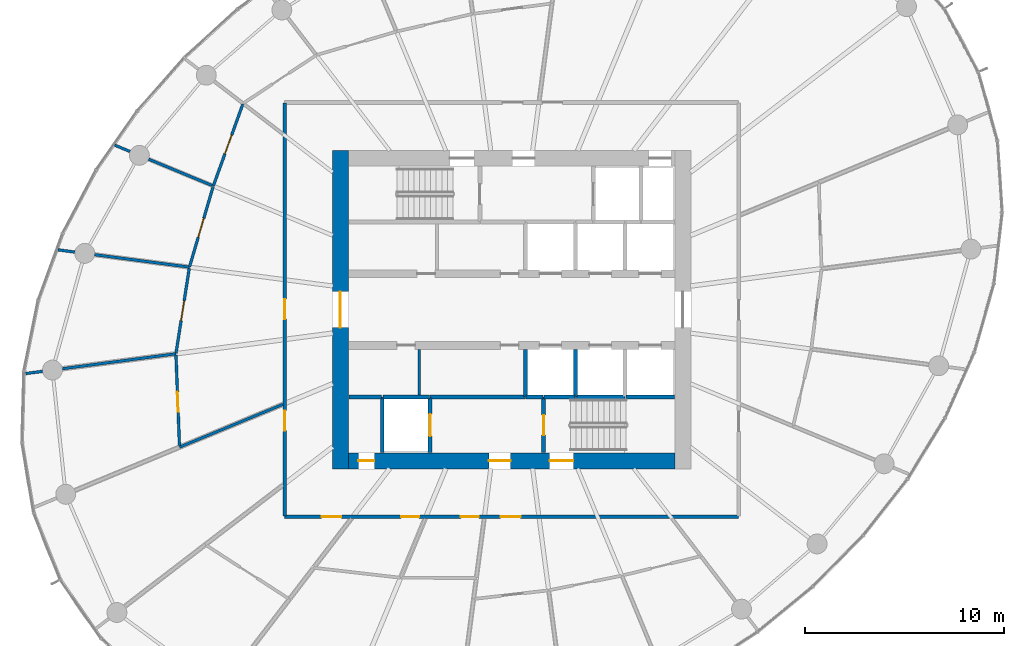
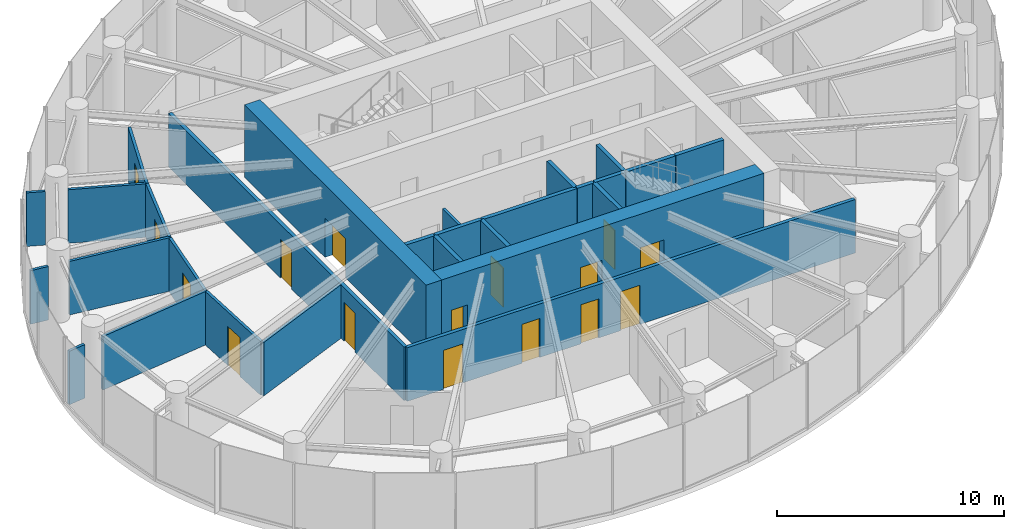
# One storey, part 9 of 14: 28 walls, 16 doors, 16 openings.
"""IFC4 building model written with IfcOpenShell, lengths in metres."""

from ifc_helpers import new_model, si_unit, direction, frame, frame_2d, origin, place, context, subcontext, project, spatial, rectangle, extrude, source, transform, mapped, material, layer, layer_set, type_object, element, fill, save


model = new_model("IFC4")

# Units and contexts
model_context = context("Model", 3, precision=1e-05, world=origin(), true_north=direction((0.0, 1.0)))
body_context = subcontext(model_context, "Body", "Model", "MODEL_VIEW")
ifc_project = project(units=[si_unit("LENGTHUNIT", "METRE"), si_unit("AREAUNIT", "SQUARE_METRE"), si_unit("VOLUMEUNIT", "CUBIC_METRE"), si_unit("PLANEANGLEUNIT", "RADIAN"), si_unit("MASSUNIT", "GRAM", prefix="KILO")], contexts=[model_context])

# Site, building, storey
site_placement = place(None, origin())
site = spatial("IfcSite", under=ifc_project, at=site_placement, CompositionType="ELEMENT")
building_placement = place(site_placement, origin())
building = spatial("IfcBuilding", under=site, at=building_placement, Name="Spindrift Exchange Tower", CompositionType="ELEMENT")
storey_placement = place(building_placement, frame((0.0, 0.0, 156.5)))
storey = spatial("IfcBuildingStorey", under=building, at=storey_placement, Name="L37", CompositionType="ELEMENT", Elevation=156.5)

# Wall, opening, door
ifc_material_1 = material(Name="Concrete 65 MPa", Category="concrete")
ifc_layer_1 = layer(ifc_material_1, 0.800048828125)
ifc_layer_set_1 = layer_set([ifc_layer_1], Name="RC Core Wall 800 Concrete 65 MPa")
wall_type_1 = type_object("IfcWallType", Name="RC Core Wall 800 Concrete 65 MPa", PredefinedType="SHEAR", material=ifc_layer_set_1)
wall_1_placement = place(storey_placement, frame((43.39990234375, 56.0, 0.0), z_axis=(0.0, 0.0, 1.0), x_axis=(0.0, -1.0, 0.0)))
wall_1 = element("IfcWall", 1, at=wall_1_placement, inside=storey, type_object=wall_type_1, Name="Core wall W L37", PredefinedType="SHEAR", context=body_context, shape_type="SweptSolid", body=[
    extrude(rectangle(XDim=16.0, YDim=0.800048828125, at=frame_2d((8.0, 0.0))), origin(), (0.0, 0.0, 1.0), 3.89990234375),
])
opening_1_placement = place(wall_1_placement, frame((7.10009765625, 0.0, 0.0)))
opening_1 = element("IfcOpeningElement", 2, at=opening_1_placement, cuts=wall_1, Name="Opening L37-D1", PredefinedType="OPENING", context=body_context, shape_type="SweptSolid", body=[
    extrude(rectangle(XDim=1.800048828125, YDim=2.10009765625, at=frame_2d((0.89990234375, 1.050048828125))), frame((0.0, 0.409912109375, 0.0), z_axis=(0.0, -1.0, 0.0), x_axis=(1.0, 0.0, 0.0)), (0.0, 0.0, 1.0), 0.820068359375),
])
ifc_material_2 = material(Name="Timber-core fire door", Category="wood")
door_type_1 = type_object("IfcDoorType", Name="DR-LOBBY-1800", OperationType="NOTDEFINED", PredefinedType="DOOR", material=ifc_material_2)
shared_shape_1 = source(origin(), body_context, "Body", "SweptSolid", [
    extrude(rectangle(XDim=1.800048828125, YDim=2.10009765625, at=frame_2d((0.89990234375, 1.050048828125))), frame((0.0, 0.02490234375, 0.0), z_axis=(0.0, -1.0, 0.0), x_axis=(1.0, 0.0, 0.0)), (0.0, 0.0, 1.0), 0.050048828125),
])
door_1_placement = place(opening_1_placement, origin())
door_1 = element("IfcDoor", 3, at=door_1_placement, inside=storey, type_object=door_type_1, Name="L37 Lobby door 1", OperationType="SINGLE_SWING_LEFT", OverallHeight=2.10009765625, OverallWidth=1.800048828125, PredefinedType="DOOR", context=body_context, shape_type="MappedRepresentation", body=[
    mapped(shared_shape_1, transform((0.0, 0.0, 0.0), scale=1.0)),
])
fill(opening_1, door_1)

# Wall, openings, doors
wall_2_placement = place(storey_placement, frame((43.800048828125, 40.39990234375, 0.0), z_axis=(0.0, 0.0, 1.0), x_axis=(1.0, 0.0, 0.0)))
wall_2 = element("IfcWall", 4, at=wall_2_placement, inside=storey, type_object=wall_type_1, Name="Core wall S L37", PredefinedType="SHEAR", context=body_context, shape_type="SweptSolid", body=[
    extrude(rectangle(XDim=16.39990234375, YDim=0.800048828125, at=frame_2d((8.199951171875, 0.0))), origin(), (0.0, 0.0, 1.0), 3.89990234375),
])
opening_2_placement = place(wall_2_placement, frame((10.10009765625, 0.0, 0.0)))
opening_2 = element("IfcOpeningElement", 5, at=opening_2_placement, cuts=wall_2, Name="Opening L37-D15", PredefinedType="OPENING", context=body_context, shape_type="SweptSolid", body=[
    extrude(rectangle(XDim=1.199951171875, YDim=2.10009765625, at=frame_2d((0.60009765625, 1.050048828125))), frame((0.0, 0.409912109375, 0.0), z_axis=(0.0, -1.0, 0.0), x_axis=(1.0, 0.0, 0.0)), (0.0, 0.0, 1.0), 0.820068359375),
])
opening_3_placement = place(wall_2_placement, frame((7.050048828125, 0.0, 0.0)))
opening_3 = element("IfcOpeningElement", 6, at=opening_3_placement, cuts=wall_2, Name="Opening L37-D17", PredefinedType="OPENING", context=body_context, shape_type="SweptSolid", body=[
    extrude(rectangle(XDim=1.10009765625, YDim=2.10009765625, at=frame_2d((0.550048828125, 1.050048828125))), frame((0.0, 0.409912109375, 0.0), z_axis=(0.0, -1.0, 0.0), x_axis=(1.0, 0.0, 0.0)), (0.0, 0.0, 1.0), 0.820068359375),
])
opening_4_placement = place(wall_2_placement, frame((0.5, 0.0, 0.0)))
opening_4 = element("IfcOpeningElement", 7, at=opening_4_placement, cuts=wall_2, Name="Opening L37-D18", PredefinedType="OPENING", context=body_context, shape_type="SweptSolid", body=[
    extrude(rectangle(XDim=0.800048828125, YDim=2.10009765625, at=frame_2d((0.39990234375, 1.050048828125))), frame((0.0, 0.409912109375, 0.0), z_axis=(0.0, -1.0, 0.0), x_axis=(1.0, 0.0, 0.0)), (0.0, 0.0, 1.0), 0.820068359375),
])
ifc_material_3 = material(Name="Steel fire door", Category="steel")
door_type_2 = type_object("IfcDoorType", Name="DR-STAIR-1200", OperationType="NOTDEFINED", PredefinedType="DOOR", material=ifc_material_3)
shared_shape_2 = source(origin(), body_context, "Body", "SweptSolid", [
    extrude(rectangle(XDim=1.199951171875, YDim=2.10009765625, at=frame_2d((0.60009765625, 1.050048828125))), frame((0.0, 0.02490234375, 0.0), z_axis=(0.0, -1.0, 0.0), x_axis=(1.0, 0.0, 0.0)), (0.0, 0.0, 1.0), 0.050048828125),
])
door_2_placement = place(opening_2_placement, origin())
door_2 = element("IfcDoor", 8, at=door_2_placement, inside=storey, type_object=door_type_2, Name="L37 Stair door 15", OperationType="SINGLE_SWING_RIGHT", OverallHeight=2.10009765625, OverallWidth=1.199951171875, PredefinedType="DOOR", context=body_context, shape_type="MappedRepresentation", body=[
    mapped(shared_shape_2, transform((0.0, 0.0, 0.0), scale=1.0)),
])
fill(opening_2, door_2)
door_type_3 = type_object("IfcDoorType", Name="DR-LOBBY-1100", OperationType="NOTDEFINED", PredefinedType="DOOR", material=ifc_material_2)
shared_shape_3 = source(origin(), body_context, "Body", "SweptSolid", [
    extrude(rectangle(XDim=1.10009765625, YDim=2.10009765625, at=frame_2d((0.550048828125, 1.050048828125))), frame((0.0, 0.02490234375, 0.0), z_axis=(0.0, -1.0, 0.0), x_axis=(1.0, 0.0, 0.0)), (0.0, 0.0, 1.0), 0.050048828125),
])
door_3_placement = place(opening_3_placement, origin())
door_3 = element("IfcDoor", 9, at=door_3_placement, inside=storey, type_object=door_type_3, Name="L37 Lobby door 17", OperationType="SINGLE_SWING_RIGHT", OverallHeight=2.10009765625, OverallWidth=1.10009765625, PredefinedType="DOOR", context=body_context, shape_type="MappedRepresentation", body=[
    mapped(shared_shape_3, transform((0.0, 0.0, 0.0), scale=1.0)),
])
fill(opening_3, door_3)
ifc_material_4 = material(Name="Steel access door", Category="steel")
door_type_4 = type_object("IfcDoorType", Name="DR-RISER-800", OperationType="NOTDEFINED", PredefinedType="DOOR", material=ifc_material_4)
shared_shape_4 = source(origin(), body_context, "Body", "SweptSolid", [
    extrude(rectangle(XDim=0.800048828125, YDim=2.10009765625, at=frame_2d((0.39990234375, 1.050048828125))), frame((0.0, 0.02490234375, 0.0), z_axis=(0.0, -1.0, 0.0), x_axis=(1.0, 0.0, 0.0)), (0.0, 0.0, 1.0), 0.050048828125),
])
door_4_placement = place(opening_4_placement, origin())
door_4 = element("IfcDoor", 10, at=door_4_placement, inside=storey, type_object=door_type_4, Name="L37 Riser door 18", OperationType="SINGLE_SWING_LEFT", OverallHeight=2.10009765625, OverallWidth=0.800048828125, PredefinedType="DOOR", context=body_context, shape_type="MappedRepresentation", body=[
    mapped(shared_shape_4, transform((0.0, 0.0, 0.0), scale=1.0)),
])
fill(opening_4, door_4)

ifc_material_5 = material(Name="Fire-rated plasterboard partition", Category="gypsum")
ifc_layer_2 = layer(ifc_material_5, 0.179931640625)
ifc_layer_set_2 = layer_set([ifc_layer_2], Name="W-CORR-180")
wall_type_2 = type_object("IfcWallType", Name="W-CORR-180", PredefinedType="PARTITIONING", material=ifc_layer_set_2)
wall_3_placement = place(storey_placement, frame((63.39990234375, 37.60009765625, 0.0), z_axis=(0.0, 0.0, 1.0), x_axis=(-1.0, 0.0, 0.0)))
wall_3 = element("IfcWall", 11, at=wall_3_placement, inside=storey, type_object=wall_type_2, Name="L37 Partition wall 28", PredefinedType="PARTITIONING", context=body_context, shape_type="SweptSolid", body=[
    extrude(rectangle(XDim=22.7998046875, YDim=0.179931640625, at=frame_2d((11.39990234375, 0.0))), origin(), (0.0, 0.0, 1.0), 2.8798828125),
])
opening_5_placement = place(wall_3_placement, frame((16.050048828125, 0.0, 0.0)))
opening_5 = element("IfcOpeningElement", 12, at=opening_5_placement, cuts=wall_3, Name="Opening L37-D19", PredefinedType="OPENING", context=body_context, shape_type="SweptSolid", body=[
    extrude(rectangle(XDim=0.89990234375, YDim=2.10009765625, at=frame_2d((0.449951171875, 1.050048828125))), frame((0.0, 0.099853515625, 0.0), z_axis=(0.0, -1.0, 0.0), x_axis=(1.0, 0.0, 0.0)), (0.0, 0.0, 1.0), 0.199951171875),
])
opening_6_placement = place(wall_3_placement, frame((13.050048828125, 0.0, 0.0)))
opening_6 = element("IfcOpeningElement", 13, at=opening_6_placement, cuts=wall_3, Name="Opening L37-D20", PredefinedType="OPENING", context=body_context, shape_type="SweptSolid", body=[
    extrude(rectangle(XDim=0.89990234375, YDim=2.10009765625, at=frame_2d((0.449951171875, 1.050048828125))), frame((0.0, 0.099853515625, 0.0), z_axis=(0.0, -1.0, 0.0), x_axis=(1.0, 0.0, 0.0)), (0.0, 0.0, 1.0), 0.199951171875),
])
opening_7_placement = place(wall_3_placement, frame((10.949951171875, 0.0, 0.0)))
opening_7 = element("IfcOpeningElement", 14, at=opening_7_placement, cuts=wall_3, Name="Opening L37-D21", PredefinedType="OPENING", context=body_context, shape_type="SweptSolid", body=[
    extrude(rectangle(XDim=1.0, YDim=2.10009765625, at=frame_2d((0.5, 1.050048828125))), frame((0.0, 0.099853515625, 0.0), z_axis=(0.0, -1.0, 0.0), x_axis=(1.0, 0.0, 0.0)), (0.0, 0.0, 1.0), 0.199951171875),
])
opening_8_placement = place(wall_3_placement, frame((19.949951171875, 0.0, 0.0)))
opening_8 = element("IfcOpeningElement", 15, at=opening_8_placement, cuts=wall_3, Name="Opening L37-D43", PredefinedType="OPENING", context=body_context, shape_type="SweptSolid", body=[
    extrude(rectangle(XDim=1.0, YDim=2.10009765625, at=frame_2d((0.5, 1.050048828125))), frame((0.0, 0.099853515625, 0.0), z_axis=(0.0, -1.0, 0.0), x_axis=(1.0, 0.0, 0.0)), (0.0, 0.0, 1.0), 0.199951171875),
])
door_type_5 = type_object("IfcDoorType", Name="DR-ROOM-1000", OperationType="NOTDEFINED", PredefinedType="DOOR", material=ifc_material_2)
shared_shape_5 = source(origin(), body_context, "Body", "SweptSolid", [
    extrude(rectangle(XDim=1.0, YDim=2.10009765625, at=frame_2d((0.5, 1.050048828125))), frame((0.0, 0.02490234375, 0.0), z_axis=(0.0, -1.0, 0.0), x_axis=(1.0, 0.0, 0.0)), (0.0, 0.0, 1.0), 0.050048828125),
])
door_5_placement = place(opening_7_placement, origin())
door_5 = element("IfcDoor", 16, at=door_5_placement, inside=storey, type_object=door_type_5, Name="L37 Door 21", OperationType="SINGLE_SWING_RIGHT", OverallHeight=2.10009765625, OverallWidth=1.0, PredefinedType="DOOR", context=body_context, shape_type="MappedRepresentation", body=[
    mapped(shared_shape_5, transform((0.0, 0.0, 0.0), scale=1.0)),
])
fill(opening_7, door_5)
door_6_placement = place(opening_8_placement, origin())
door_6 = element("IfcDoor", 17, at=door_6_placement, inside=storey, type_object=door_type_5, Name="L37 Door 43", OperationType="SINGLE_SWING_RIGHT", OverallHeight=2.10009765625, OverallWidth=1.0, PredefinedType="DOOR", context=body_context, shape_type="MappedRepresentation", body=[
    mapped(shared_shape_5, transform((0.0, 0.0, 0.0), scale=1.0)),
])
fill(opening_8, door_6)
ifc_material_6 = material(Name="Laminate washroom door", Category="wood")
door_type_6 = type_object("IfcDoorType", Name="DR-WC-900", OperationType="NOTDEFINED", PredefinedType="DOOR", material=ifc_material_6)
shared_shape_6 = source(origin(), body_context, "Body", "SweptSolid", [
    extrude(rectangle(XDim=0.89990234375, YDim=2.10009765625, at=frame_2d((0.449951171875, 1.050048828125))), frame((0.0, 0.02490234375, 0.0), z_axis=(0.0, -1.0, 0.0), x_axis=(1.0, 0.0, 0.0)), (0.0, 0.0, 1.0), 0.050048828125),
])
door_7_placement = place(opening_5_placement, origin())
door_7 = element("IfcDoor", 18, at=door_7_placement, inside=storey, type_object=door_type_6, Name="L37 WC door 19", OperationType="SINGLE_SWING_RIGHT", OverallHeight=2.10009765625, OverallWidth=0.89990234375, PredefinedType="DOOR", context=body_context, shape_type="MappedRepresentation", body=[
    mapped(shared_shape_6, transform((0.0, 0.0, 0.0), scale=1.0)),
])
fill(opening_5, door_7)
door_8_placement = place(opening_6_placement, origin())
door_8 = element("IfcDoor", 19, at=door_8_placement, inside=storey, type_object=door_type_6, Name="L37 WC door 20", OperationType="SINGLE_SWING_LEFT", OverallHeight=2.10009765625, OverallWidth=0.89990234375, PredefinedType="DOOR", context=body_context, shape_type="MappedRepresentation", body=[
    mapped(shared_shape_6, transform((0.0, 0.0, 0.0), scale=1.0)),
])
fill(opening_6, door_8)

wall_4_placement = place(storey_placement, frame((40.60009765625, 37.6298828125, 0.0), z_axis=(0.0, 0.0, 1.0), x_axis=(0.0, 1.0, 0.0)))
wall_4 = element("IfcWall", 20, at=wall_4_placement, inside=storey, type_object=wall_type_2, Name="L37 Partition wall 30", PredefinedType="PARTITIONING", context=body_context, shape_type="SweptSolid", body=[
    extrude(rectangle(XDim=20.740234375, YDim=0.179931640625, at=frame_2d((10.3701171875, 0.0))), origin(), (0.0, 0.0, 1.0), 2.8798828125),
])
opening_9_placement = place(wall_4_placement, frame((9.889892578125, 0.0, 0.0)))
opening_9 = element("IfcOpeningElement", 21, at=opening_9_placement, cuts=wall_4, Name="Opening L37-D37", PredefinedType="OPENING", context=body_context, shape_type="SweptSolid", body=[
    extrude(rectangle(XDim=1.0, YDim=2.10009765625, at=frame_2d((0.5, 1.050048828125))), frame((0.0, 0.099853515625, 0.0), z_axis=(0.0, -1.0, 0.0), x_axis=(1.0, 0.0, 0.0)), (0.0, 0.0, 1.0), 0.199951171875),
])
opening_10_placement = place(wall_4_placement, frame((4.2900390625, 0.0, 0.0)))
opening_10 = element("IfcOpeningElement", 22, at=opening_10_placement, cuts=wall_4, Name="Opening L37-D42", PredefinedType="OPENING", context=body_context, shape_type="SweptSolid", body=[
    extrude(rectangle(XDim=1.0, YDim=2.10009765625, at=frame_2d((0.5, 1.050048828125))), frame((0.0, 0.099853515625, 0.0), z_axis=(0.0, -1.0, 0.0), x_axis=(1.0, 0.0, 0.0)), (0.0, 0.0, 1.0), 0.199951171875),
])
door_9_placement = place(opening_9_placement, origin())
door_9 = element("IfcDoor", 23, at=door_9_placement, inside=storey, type_object=door_type_5, Name="L37 Door 37", OperationType="SINGLE_SWING_RIGHT", OverallHeight=2.10009765625, OverallWidth=1.0, PredefinedType="DOOR", context=body_context, shape_type="MappedRepresentation", body=[
    mapped(shared_shape_5, transform((0.0, 0.0, 0.0), scale=1.0)),
])
fill(opening_9, door_9)
door_10_placement = place(opening_10_placement, origin())
door_10 = element("IfcDoor", 24, at=door_10_placement, inside=storey, type_object=door_type_5, Name="L37 Door 42", OperationType="SINGLE_SWING_LEFT", OverallHeight=2.10009765625, OverallWidth=1.0, PredefinedType="DOOR", context=body_context, shape_type="MappedRepresentation", body=[
    mapped(shared_shape_5, transform((0.0, 0.0, 0.0), scale=1.0)),
])
fill(opening_10, door_10)

# Walls
ifc_layer_3 = layer(ifc_material_5, 0.139892578125)
ifc_layer_set_3 = layer_set([ifc_layer_3], Name="W-PART-140")
wall_type_3 = type_object("IfcWallType", Name="W-PART-140", PredefinedType="PARTITIONING", material=ifc_layer_set_3)
wall_5_placement = place(storey_placement, frame((35.138671875, 45.7802734375, 0.0), z_axis=(0.0, 0.0, 1.0), x_axis=(-0.99144533292, -0.130522610424, 0.0)))
element("IfcWall", 25, at=wall_5_placement, inside=storey, type_object=wall_type_3, Name="L37 Partition wall 34", PredefinedType="PARTITIONING", context=body_context, shape_type="SweptSolid", body=[
    extrude(rectangle(XDim=5.749755859375, YDim=0.139892578125, at=frame_2d((2.875, 0.0))), origin(), (0.0, 0.0, 1.0), 2.8798828125),
])
wall_6_placement = place(storey_placement, frame((40.510009765625, 43.24072265625, 0.0), z_axis=(0.0, 0.0, 1.0), x_axis=(-0.92387220975, -0.382701110597, 0.0)))
element("IfcWall", 26, at=wall_6_placement, inside=storey, type_object=wall_type_3, Name="L37 Partition wall 36", PredefinedType="PARTITIONING", context=body_context, shape_type="SweptSolid", body=[
    extrude(rectangle(XDim=5.6171875, YDim=0.139892578125, at=frame_2d((2.80859375, 0.0))), origin(), (0.0, 0.0, 1.0), 2.8798828125),
])
wall_7_placement = place(storey_placement, frame((35.8173828125, 50.130615234375, 0.0), z_axis=(0.0, 0.0, 1.0), x_axis=(-0.991450832312, 0.13048083042, 0.0)))
element("IfcWall", 27, at=wall_7_placement, inside=storey, type_object=wall_type_3, Name="L37 Partition wall 45", PredefinedType="PARTITIONING", context=body_context, shape_type="SweptSolid", body=[
    extrude(rectangle(XDim=4.79931640625, YDim=0.139892578125, at=frame_2d((2.399658203125, 0.0))), origin(), (0.0, 0.0, 1.0), 2.8798828125),
])

# Wall, opening, door
wall_8_placement = place(storey_placement, frame((35.317626953125, 41.165771484375, 0.0), z_axis=(0.0, 0.0, 1.0), x_axis=(-0.038760942668, 0.999248512295, 0.0)))
wall_8 = element("IfcWall", 28, at=wall_8_placement, inside=storey, type_object=wall_type_3, Name="L37 Partition wall 46", PredefinedType="PARTITIONING", context=body_context, shape_type="SweptSolid", body=[
    extrude(rectangle(XDim=4.547607421875, YDim=0.139892578125, at=frame_2d((2.27392578125, 0.0))), origin(), (0.0, 0.0, 1.0), 2.8798828125),
])
opening_11_placement = place(wall_8_placement, frame((1.697509765625, 0.0, 0.0)))
opening_11 = element("IfcOpeningElement", 29, at=opening_11_placement, cuts=wall_8, Name="Opening L37-D41", PredefinedType="OPENING", context=body_context, shape_type="SweptSolid", body=[
    extrude(rectangle(XDim=1.0, YDim=2.10009765625, at=frame_2d((0.5, 1.050048828125))), frame((0.0, 0.079833984375, 0.0), z_axis=(0.0, -1.0, 0.0), x_axis=(1.0, 0.0, 0.0)), (0.0, 0.0, 1.0), 0.159912109375),
])
door_11_placement = place(opening_11_placement, origin())
door_11 = element("IfcDoor", 30, at=door_11_placement, inside=storey, type_object=door_type_5, Name="L37 Door 41", OperationType="SINGLE_SWING_RIGHT", OverallHeight=2.10009765625, OverallWidth=1.0, PredefinedType="DOOR", context=body_context, shape_type="MappedRepresentation", body=[
    mapped(shared_shape_5, transform((0.0, 0.0, 0.0), scale=1.0)),
])
fill(opening_11, door_11)

wall_9_placement = place(storey_placement, frame((37.015869140625, 54.20654296875, 0.0), z_axis=(0.0, 0.0, 1.0), x_axis=(0.339349662801, 0.940660303381, 0.0)))
wall_9 = element("IfcWall", 31, at=wall_9_placement, inside=storey, type_object=wall_type_3, Name="L37 Partition wall 49", PredefinedType="PARTITIONING", context=body_context, shape_type="SweptSolid", body=[
    extrude(rectangle(XDim=4.375732421875, YDim=0.139892578125, at=frame_2d((2.18798828125, 0.0))), origin(), (0.0, 0.0, 1.0), 2.8798828125),
])
opening_12_placement = place(wall_9_placement, frame((1.725341796875, 0.0, 0.0)))
opening_12 = element("IfcOpeningElement", 32, at=opening_12_placement, cuts=wall_9, Name="Opening L37-D38", PredefinedType="OPENING", context=body_context, shape_type="SweptSolid", body=[
    extrude(rectangle(XDim=1.0, YDim=2.10009765625, at=frame_2d((0.5, 1.050048828125))), frame((0.0, 0.079833984375, 0.0), z_axis=(0.0, -1.0, 0.0), x_axis=(1.0, 0.0, 0.0)), (0.0, 0.0, 1.0), 0.159912109375),
])
door_12_placement = place(opening_12_placement, origin())
door_12 = element("IfcDoor", 33, at=door_12_placement, inside=storey, type_object=door_type_5, Name="L37 Door 38", OperationType="SINGLE_SWING_LEFT", OverallHeight=2.10009765625, OverallWidth=1.0, PredefinedType="DOOR", context=body_context, shape_type="MappedRepresentation", body=[
    mapped(shared_shape_5, transform((0.0, 0.0, 0.0), scale=1.0)),
])
fill(opening_12, door_12)

wall_10_placement = place(storey_placement, frame((35.143310546875, 45.809814453125, 0.0), z_axis=(0.0, 0.0, 1.0), x_axis=(0.154158792567, 0.988046085299, 0.0)))
wall_10 = element("IfcWall", 34, at=wall_10_placement, inside=storey, type_object=wall_type_3, Name="L37 Partition wall 50", PredefinedType="PARTITIONING", context=body_context, shape_type="SweptSolid", body=[
    extrude(rectangle(XDim=4.302978515625, YDim=0.139892578125, at=frame_2d((2.1513671875, 0.0))), origin(), (0.0, 0.0, 1.0), 2.8798828125),
])
opening_13_placement = place(wall_10_placement, frame((1.653076171875, 0.0, 0.0)))
opening_13 = element("IfcOpeningElement", 35, at=opening_13_placement, cuts=wall_10, Name="Opening L37-D40", PredefinedType="OPENING", context=body_context, shape_type="SweptSolid", body=[
    extrude(rectangle(XDim=1.0, YDim=2.10009765625, at=frame_2d((0.5, 1.050048828125))), frame((0.0, 0.079833984375, 0.0), z_axis=(0.0, -1.0, 0.0), x_axis=(1.0, 0.0, 0.0)), (0.0, 0.0, 1.0), 0.159912109375),
])
door_13_placement = place(opening_13_placement, origin())
door_13 = element("IfcDoor", 36, at=door_13_placement, inside=storey, type_object=door_type_5, Name="L37 Door 40", OperationType="SINGLE_SWING_LEFT", OverallHeight=2.10009765625, OverallWidth=1.0, PredefinedType="DOOR", context=body_context, shape_type="MappedRepresentation", body=[
    mapped(shared_shape_5, transform((0.0, 0.0, 0.0), scale=1.0)),
])
fill(opening_13, door_13)

wall_11_placement = place(storey_placement, frame((35.825927734375, 50.1591796875, 0.0), z_axis=(0.0, 0.0, 1.0), x_axis=(0.28208743745, 0.959388699971, 0.0)))
wall_11 = element("IfcWall", 37, at=wall_11_placement, inside=storey, type_object=wall_type_3, Name="L37 Partition wall 54", PredefinedType="PARTITIONING", context=body_context, shape_type="SweptSolid", body=[
    extrude(rectangle(XDim=4.18896484375, YDim=0.139892578125, at=frame_2d((2.094482421875, 0.0))), origin(), (0.0, 0.0, 1.0), 2.8798828125),
])
opening_14_placement = place(wall_11_placement, frame((1.538818359375, 0.0, 0.0)))
opening_14 = element("IfcOpeningElement", 38, at=opening_14_placement, cuts=wall_11, Name="Opening L37-D39", PredefinedType="OPENING", context=body_context, shape_type="SweptSolid", body=[
    extrude(rectangle(XDim=1.0, YDim=2.10009765625, at=frame_2d((0.5, 1.050048828125))), frame((0.0, 0.079833984375, 0.0), z_axis=(0.0, -1.0, 0.0), x_axis=(1.0, 0.0, 0.0)), (0.0, 0.0, 1.0), 0.159912109375),
])
door_14_placement = place(opening_14_placement, origin())
door_14 = element("IfcDoor", 39, at=door_14_placement, inside=storey, type_object=door_type_5, Name="L37 Door 39", OperationType="SINGLE_SWING_RIGHT", OverallHeight=2.10009765625, OverallWidth=1.0, PredefinedType="DOOR", context=body_context, shape_type="MappedRepresentation", body=[
    mapped(shared_shape_5, transform((0.0, 0.0, 0.0), scale=1.0)),
])
fill(opening_14, door_14)

# Walls
wall_12_placement = place(storey_placement, frame((36.951171875, 54.2333984375, 0.0), z_axis=(0.0, 0.0, 1.0), x_axis=(-0.923873497733, 0.382698001285, 0.0)))
element("IfcWall", 40, at=wall_12_placement, inside=storey, type_object=wall_type_3, Name="L37 Partition wall 66", PredefinedType="PARTITIONING", context=body_context, shape_type="SweptSolid", body=[
    extrude(rectangle(XDim=3.4462890625, YDim=0.139892578125, at=frame_2d((1.72314453125, 0.0))), origin(), (0.0, 0.0, 1.0), 2.8798828125),
])
wall_13_placement = place(storey_placement, frame((47.360107421875, 43.699951171875, 0.0), z_axis=(0.0, 0.0, 1.0), x_axis=(0.0, 1.0, 0.0)))
element("IfcWall", 41, at=wall_13_placement, inside=storey, type_object=wall_type_3, Name="L37 Partition wall 74", PredefinedType="PARTITIONING", context=body_context, shape_type="SweptSolid", body=[
    extrude(rectangle(XDim=2.2900390625, YDim=0.139892578125, at=frame_2d((1.14501953125, 0.0))), origin(), (0.0, 0.0, 1.0), 2.8798828125),
])
wall_14_placement = place(storey_placement, frame((30.058837890625, 50.888671875, 0.0), z_axis=(0.0, 0.0, 1.0), x_axis=(-0.991446500326, 0.130513742537, 0.0)))
element("IfcWall", 42, at=wall_14_placement, inside=storey, type_object=wall_type_3, Name="L37 Partition wall 87", PredefinedType="PARTITIONING", context=body_context, shape_type="SweptSolid", body=[
    extrude(rectangle(XDim=0.85302734375, YDim=0.139892578125, at=frame_2d((0.426513671875, 0.0))), origin(), (0.0, 0.0, 1.0), 2.8798828125),
])
wall_15_placement = place(storey_placement, frame((28.43798828125, 44.89794921875, 0.0), z_axis=(0.0, 0.0, 1.0), x_axis=(-0.991432738393, -0.130618242377, 0.0)))
element("IfcWall", 43, at=wall_15_placement, inside=storey, type_object=wall_type_3, Name="L37 Partition wall 92", PredefinedType="PARTITIONING", context=body_context, shape_type="SweptSolid", body=[
    extrude(rectangle(XDim=0.8486328125, YDim=0.139892578125, at=frame_2d((0.42431640625, 0.0))), origin(), (0.0, 0.0, 1.0), 2.8798828125),
])
wall_16_placement = place(storey_placement, frame((32.833984375, 55.938720703125, 0.0), z_axis=(0.0, 0.0, 1.0), x_axis=(-0.923909393783, 0.382611332921, 0.0)))
element("IfcWall", 44, at=wall_16_placement, inside=storey, type_object=wall_type_3, Name="L37 Partition wall 94", PredefinedType="PARTITIONING", context=body_context, shape_type="SweptSolid", body=[
    extrude(rectangle(XDim=0.830810546875, YDim=0.139892578125, at=frame_2d((0.41552734375, 0.0))), origin(), (0.0, 0.0, 1.0), 2.8798828125),
])
ifc_material_7 = material(Name="Concrete 40 MPa", Category="concrete")
ifc_layer_4 = layer(ifc_material_7, 0.199951171875)
ifc_layer_set_4 = layer_set([ifc_layer_4], Name="W-SHAFT-200")
wall_type_4 = type_object("IfcWallType", Name="W-SHAFT-200", PredefinedType="SOLIDWALL", material=ifc_layer_set_4)
wall_17_placement = place(storey_placement, frame((52.699951171875, 43.60009765625, 0.0), z_axis=(0.0, 0.0, 1.0), x_axis=(-1.0, 0.0, 0.0)))
element("IfcWall", 45, at=wall_17_placement, inside=storey, type_object=wall_type_4, Name="L37 Shaft wall 2", PredefinedType="SOLIDWALL", context=body_context, shape_type="SweptSolid", body=[
    extrude(rectangle(XDim=4.800048828125, YDim=0.199951171875, at=frame_2d((2.39990234375, 0.0))), origin(), (0.0, 0.0, 1.0), 3.580078125),
])
wall_18_placement = place(storey_placement, frame((45.5, 43.60009765625, 0.0), z_axis=(0.0, 0.0, 1.0), x_axis=(0.0, -1.0, 0.0)))
element("IfcWall", 46, at=wall_18_placement, inside=storey, type_object=wall_type_4, Name="L37 Shaft wall 3", PredefinedType="SOLIDWALL", context=body_context, shape_type="SweptSolid", body=[
    extrude(rectangle(XDim=2.780029296875, YDim=0.199951171875, at=frame_2d((1.39013671875, 0.0))), origin(), (0.0, 0.0, 1.0), 3.580078125),
])

# Wall, opening, door
wall_19_placement = place(storey_placement, frame((47.89990234375, 40.820068359375, 0.0), z_axis=(0.0, 0.0, 1.0), x_axis=(0.0, 1.0, 0.0)))
wall_19 = element("IfcWall", 47, at=wall_19_placement, inside=storey, type_object=wall_type_4, Name="L37 Shaft wall 4", PredefinedType="SOLIDWALL", context=body_context, shape_type="SweptSolid", body=[
    extrude(rectangle(XDim=2.75, YDim=0.199951171875, at=frame_2d((1.375, 0.0))), origin(), (0.0, 0.0, 1.0), 3.580078125),
])
opening_15_placement = place(wall_19_placement, frame((0.830078125, 0.0, 0.0)))
opening_15 = element("IfcOpeningElement", 48, at=opening_15_placement, cuts=wall_19, Name="Opening L37-D10", PredefinedType="OPENING", context=body_context, shape_type="SweptSolid", body=[
    extrude(rectangle(XDim=1.10009765625, YDim=2.10009765625, at=frame_2d((0.550048828125, 1.050048828125))), frame((0.0, 0.10986328125, 0.0), z_axis=(0.0, -1.0, 0.0), x_axis=(1.0, 0.0, 0.0)), (0.0, 0.0, 1.0), 0.219970703125),
])
ifc_material_8 = material(Name="Stainless steel landing door", Category="steel")
door_type_7 = type_object("IfcDoorType", Name="DR-LANDING-1100-SL", OperationType="DOUBLE_DOOR_SLIDING", PredefinedType="USERDEFINED", material=ifc_material_8)
shared_shape_7 = source(origin(), body_context, "Body", "SweptSolid", [
    extrude(rectangle(XDim=1.10009765625, YDim=2.10009765625, at=frame_2d((0.550048828125, 1.050048828125))), frame((0.0, 0.02490234375, 0.0), z_axis=(0.0, -1.0, 0.0), x_axis=(1.0, 0.0, 0.0)), (0.0, 0.0, 1.0), 0.050048828125),
])
door_15_placement = place(opening_15_placement, origin())
door_15 = element("IfcDoor", 49, at=door_15_placement, inside=storey, type_object=door_type_7, Name="L37 Lift landing door 10", ObjectType="LANDING DOOR", OperationType="DOUBLE_DOOR_SLIDING", OverallHeight=2.10009765625, OverallWidth=1.10009765625, PredefinedType="USERDEFINED", context=body_context, shape_type="MappedRepresentation", body=[
    mapped(shared_shape_7, transform((0.0, 0.0, 0.0), scale=1.0)),
])
fill(opening_15, door_15)

# Walls
wall_20_placement = place(storey_placement, frame((47.8701171875, 43.60009765625, 0.0), z_axis=(0.0, 0.0, 1.0), x_axis=(-1.0, 0.0, 0.0)))
element("IfcWall", 50, at=wall_20_placement, inside=storey, type_object=wall_type_4, Name="L37 Shaft wall 12", PredefinedType="SOLIDWALL", context=body_context, shape_type="SweptSolid", body=[
    extrude(rectangle(XDim=2.340087890625, YDim=0.199951171875, at=frame_2d((1.169921875, 0.0))), origin(), (0.0, 0.0, 1.0), 3.580078125),
])
wall_21_placement = place(storey_placement, frame((52.699951171875, 45.989990234375, 0.0), z_axis=(0.0, 0.0, 1.0), x_axis=(0.0, -1.0, 0.0)))
element("IfcWall", 51, at=wall_21_placement, inside=storey, type_object=wall_type_4, Name="L37 Shaft wall 13", PredefinedType="SOLIDWALL", context=body_context, shape_type="SweptSolid", body=[
    extrude(rectangle(XDim=2.360107421875, YDim=0.199951171875, at=frame_2d((1.18017578125, 0.0))), origin(), (0.0, 0.0, 1.0), 3.580078125),
])
wall_22_placement = place(storey_placement, frame((45.469970703125, 43.60009765625, 0.0), z_axis=(0.0, 0.0, 1.0), x_axis=(-1.0, 0.0, 0.0)))
element("IfcWall", 52, at=wall_22_placement, inside=storey, type_object=wall_type_4, Name="L37 Shaft wall 20", PredefinedType="SOLIDWALL", context=body_context, shape_type="SweptSolid", body=[
    extrude(rectangle(XDim=1.64990234375, YDim=0.199951171875, at=frame_2d((0.824951171875, 0.0))), origin(), (0.0, 0.0, 1.0), 3.580078125),
])

# Wall, opening, door
ifc_layer_5 = layer(ifc_material_7, 0.199951171875)
ifc_layer_set_5 = layer_set([ifc_layer_5], Name="W-SHAFT-200-LB")
wall_type_5 = type_object("IfcWallType", Name="W-SHAFT-200-LB", PredefinedType="SOLIDWALL", material=ifc_layer_set_5)
wall_23_placement = place(storey_placement, frame((53.60009765625, 43.60009765625, 0.0), z_axis=(0.0, 0.0, 1.0), x_axis=(0.0, -1.0, 0.0)))
wall_23 = element("IfcWall", 53, at=wall_23_placement, inside=storey, type_object=wall_type_5, Name="L37 Shaft wall 6", PredefinedType="SOLIDWALL", context=body_context, shape_type="SweptSolid", body=[
    extrude(rectangle(XDim=2.780029296875, YDim=0.199951171875, at=frame_2d((1.39013671875, 0.0))), origin(), (0.0, 0.0, 1.0), 3.580078125),
])
opening_16_placement = place(wall_23_placement, frame((0.89990234375, 0.0, 0.0)))
opening_16 = element("IfcOpeningElement", 54, at=opening_16_placement, cuts=wall_23, Name="Opening L37-D16", PredefinedType="OPENING", context=body_context, shape_type="SweptSolid", body=[
    extrude(rectangle(XDim=1.0, YDim=2.10009765625, at=frame_2d((0.5, 1.050048828125))), frame((0.0, 0.10986328125, 0.0), z_axis=(0.0, -1.0, 0.0), x_axis=(1.0, 0.0, 0.0)), (0.0, 0.0, 1.0), 0.219970703125),
])
door_type_8 = type_object("IfcDoorType", Name="DR-STAIR-1000", OperationType="NOTDEFINED", PredefinedType="DOOR", material=ifc_material_3)
shared_shape_8 = source(origin(), body_context, "Body", "SweptSolid", [
    extrude(rectangle(XDim=1.0, YDim=2.10009765625, at=frame_2d((0.5, 1.050048828125))), frame((0.0, 0.02490234375, 0.0), z_axis=(0.0, -1.0, 0.0), x_axis=(1.0, 0.0, 0.0)), (0.0, 0.0, 1.0), 0.050048828125),
])
door_16_placement = place(opening_16_placement, origin())
door_16 = element("IfcDoor", 55, at=door_16_placement, inside=storey, type_object=door_type_8, Name="L37 Stair door 16", OperationType="SINGLE_SWING_LEFT", OverallHeight=2.10009765625, OverallWidth=1.0, PredefinedType="DOOR", context=body_context, shape_type="MappedRepresentation", body=[
    mapped(shared_shape_8, transform((0.0, 0.0, 0.0), scale=1.0)),
])
fill(opening_16, door_16)

# Walls
wall_24_placement = place(storey_placement, frame((55.199951171875, 43.60009765625, 0.0), z_axis=(0.0, 0.0, 1.0), x_axis=(1.0, 0.0, 0.0)))
element("IfcWall", 56, at=wall_24_placement, inside=storey, type_object=wall_type_5, Name="L37 Shaft wall 10", PredefinedType="SOLIDWALL", context=body_context, shape_type="SweptSolid", body=[
    extrude(rectangle(XDim=2.5, YDim=0.199951171875, at=frame_2d((1.25, 0.0))), origin(), (0.0, 0.0, 1.0), 3.580078125),
])
wall_25_placement = place(storey_placement, frame((57.72998046875, 43.60009765625, 0.0), z_axis=(0.0, 0.0, 1.0), x_axis=(1.0, 0.0, 0.0)))
element("IfcWall", 57, at=wall_25_placement, inside=storey, type_object=wall_type_5, Name="L37 Shaft wall 11", PredefinedType="SOLIDWALL", context=body_context, shape_type="SweptSolid", body=[
    extrude(rectangle(XDim=2.449951171875, YDim=0.199951171875, at=frame_2d((1.22509765625, 0.0))), origin(), (0.0, 0.0, 1.0), 3.580078125),
])
wall_26_placement = place(storey_placement, frame((55.199951171875, 43.6298828125, 0.0), z_axis=(0.0, 0.0, 1.0), x_axis=(0.0, 1.0, 0.0)))
element("IfcWall", 58, at=wall_26_placement, inside=storey, type_object=wall_type_5, Name="L37 Shaft wall 15", PredefinedType="SOLIDWALL", context=body_context, shape_type="SweptSolid", body=[
    extrude(rectangle(XDim=2.360107421875, YDim=0.199951171875, at=frame_2d((1.18017578125, 0.0))), origin(), (0.0, 0.0, 1.0), 3.580078125),
])
wall_27_placement = place(storey_placement, frame((53.6298828125, 43.60009765625, 0.0), z_axis=(0.0, 0.0, 1.0), x_axis=(1.0, 0.0, 0.0)))
element("IfcWall", 59, at=wall_27_placement, inside=storey, type_object=wall_type_5, Name="L37 Shaft wall 22", PredefinedType="SOLIDWALL", context=body_context, shape_type="SweptSolid", body=[
    extrude(rectangle(XDim=1.5400390625, YDim=0.199951171875, at=frame_2d((0.77001953125, 0.0))), origin(), (0.0, 0.0, 1.0), 3.580078125),
])
wall_28_placement = place(storey_placement, frame((52.72998046875, 43.60009765625, 0.0), z_axis=(0.0, 0.0, 1.0), x_axis=(1.0, 0.0, 0.0)))
element("IfcWall", 60, at=wall_28_placement, inside=storey, type_object=wall_type_5, Name="L37 Shaft wall 24", PredefinedType="SOLIDWALL", context=body_context, shape_type="SweptSolid", body=[
    extrude(rectangle(XDim=0.840087890625, YDim=0.199951171875, at=frame_2d((0.419921875, 0.0))), origin(), (0.0, 0.0, 1.0), 3.580078125),
])

save(model, "model.ifc")
